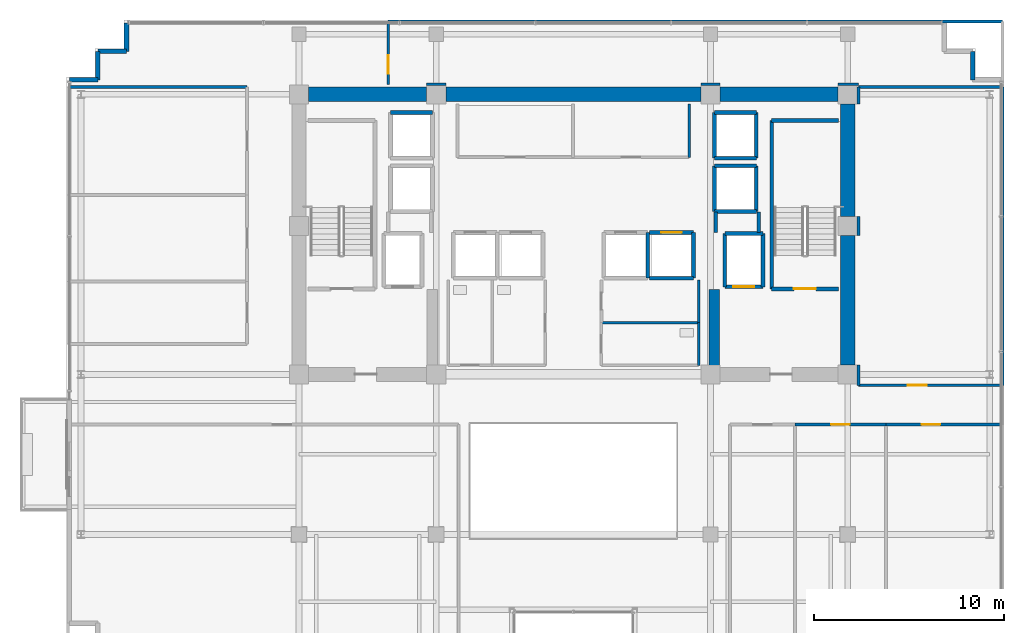
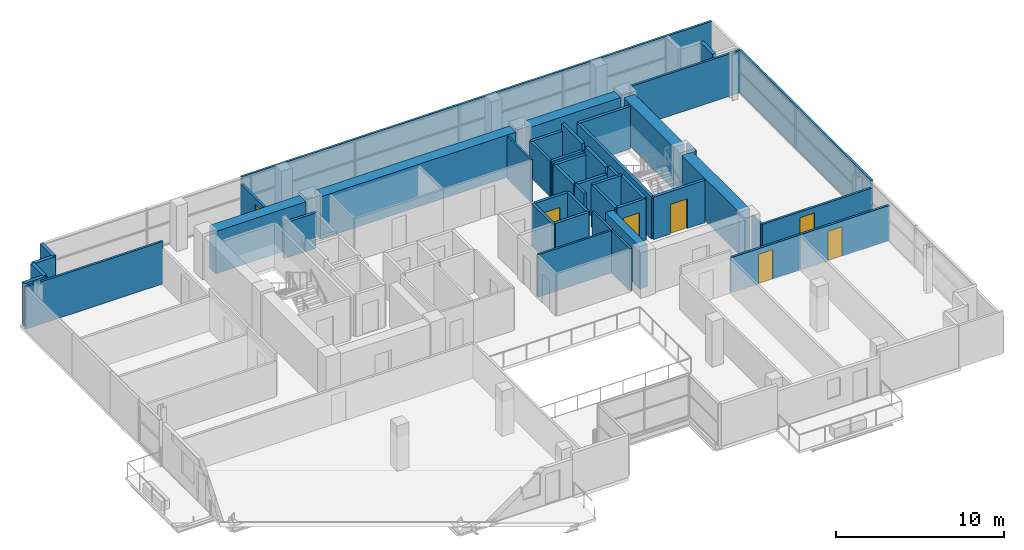
# One storey, part 16 of 21: 51 walls, 7 doors, 7 openings.
"""IFC4 building model written with IfcOpenShell, lengths in metres."""

import ifcopenshell
import ifcopenshell.guid

model = None  # the IFC model being written
_history = None  # IfcOwnerHistory: only IFC2X3 demands one
_inside = {}  # id of a spatial element -> (the spatial element, [elements in it])
_under = {}  # id of a project, library or spatial element -> (it, [spatial elements below it])
_declared = {}  # id of a project -> (the project, [libraries it declares])
_typed = {}  # id of a type object -> (the type object, [elements of that type])
_made_of = {}  # id of a material, layer set ... -> (it, [elements and type objects made of it])


def new_model(schema):
    """Start an empty IFC model of exactly this schema.

    Asked for "IFC4X3", IfcOpenShell would pick the latest addendum, in which some entities
    have other attributes; the version numbers below select the first issue.
    IFC2X3 requires an IfcOwnerHistory on every rooted entity: one is made here for all.
    """
    global model, _history
    if schema == "IFC4X3":
        model = ifcopenshell.file(schema_version=(4, 3, 0, 0))
    else:
        model = ifcopenshell.file(schema=schema)
    _inside.clear()
    _under.clear()
    _declared.clear()
    _typed.clear()
    _made_of.clear()
    _history = None
    if model.schema == "IFC2X3":
        org = make("IfcOrganization", Name="unknown")
        user = make(
            "IfcPersonAndOrganization",
            ThePerson=make("IfcPerson", FamilyName="unknown"),
            TheOrganization=org,
        )
        app = make(
            "IfcApplication",
            ApplicationDeveloper=org,
            Version="unknown",
            ApplicationFullName="unknown",
            ApplicationIdentifier="unknown",
        )
        _history = make(
            "IfcOwnerHistory",
            OwningUser=user,
            OwningApplication=app,
            ChangeAction="ADDED",
            CreationDate=0,
        )
    return model


def make(cls, **values):
    """One entity of the class cls with the attributes given. An attribute that is None is left unset."""
    return model.create_entity(
        cls, **{name: value for name, value in values.items() if value is not None}
    )


def rooted(cls, **values):
    """An entity with a GlobalId (a new one), such as an element, a storey or a relation."""
    return make(cls, GlobalId=ifcopenshell.guid.new(), OwnerHistory=_history, **values)


def si_unit(unit_type, name, prefix=None):
    """IfcSIUnit, for example si_unit("LENGTHUNIT", "METRE", prefix="MILLI")."""
    return make("IfcSIUnit", UnitType=unit_type, Prefix=prefix, Name=name)


def assignment(units):
    """IfcUnitAssignment: the units of a project."""
    return None if units is None else make("IfcUnitAssignment", Units=units)


def point(xyz):
    """IfcCartesianPoint."""
    return None if xyz is None else make("IfcCartesianPoint", Coordinates=xyz)


def direction(xyz):
    """IfcDirection."""
    return None if xyz is None else make("IfcDirection", DirectionRatios=xyz)


def frame(location, z_axis=None, x_axis=None):
    """IfcAxis2Placement3D, a coordinate frame: its origin and axes. An axis left out is left unset."""
    return make(
        "IfcAxis2Placement3D",
        Location=point(location),
        Axis=direction(z_axis),
        RefDirection=direction(x_axis),
    )


def frame_2d(location, x_axis=None):
    """IfcAxis2Placement2D, a coordinate frame in the plane: its origin and x axis."""
    return make(
        "IfcAxis2Placement2D", Location=point(location), RefDirection=direction(x_axis)
    )


def origin():
    """The frame at (0, 0, 0) with its axes left unset."""
    return frame((0.0, 0.0, 0.0))


def place(relative_to, where):
    """IfcLocalPlacement: puts the frame where relative to a parent placement (None: the world)."""
    return make(
        "IfcLocalPlacement", PlacementRelTo=relative_to, RelativePlacement=where
    )


def context(
    kind, dimensions, precision=None, world=None, true_north=None, identifier=None
):
    """IfcGeometricRepresentationContext, for example the 3D "Model" context."""
    return make(
        "IfcGeometricRepresentationContext",
        ContextIdentifier=identifier,
        ContextType=kind,
        CoordinateSpaceDimension=dimensions,
        Precision=precision,
        WorldCoordinateSystem=world,
        TrueNorth=true_north,
    )


def subcontext(parent, identifier, kind, view, scale=None):
    """IfcGeometricRepresentationSubContext, for example "Body" below "Model"."""
    return make(
        "IfcGeometricRepresentationSubContext",
        ContextIdentifier=identifier,
        ContextType=kind,
        ParentContext=parent,
        TargetScale=scale,
        TargetView=view,
    )


def project(units=None, contexts=None):
    """IfcProject with its units and contexts."""
    return rooted(
        "IfcProject",
        Name="project",
        RepresentationContexts=contexts,
        UnitsInContext=assignment(units),
    )


def spatial(cls, under=None, at=None, **own):
    """A site, building, storey or space (cls), placed at a placement, below another one or the project."""
    s = rooted(cls, ObjectPlacement=at, **own)
    if under is not None:
        _under.setdefault(under.id(), (under, []))[1].append(s)
    return s


def profile(cls, at=None, kind="AREA", **sizes):
    """A parametric profile (cls). Its sizes go by their IFC names, for example OverallWidth=200.0."""
    return make(cls, ProfileType=kind, Position=at, **sizes)


def rectangle(**sizes):
    """IfcRectangleProfileDef."""
    return profile("IfcRectangleProfileDef", **sizes)


def extrude(swept, where, along, depth):
    """IfcExtrudedAreaSolid: the profile swept, set in the frame where, extruded along a direction by depth."""
    return make(
        "IfcExtrudedAreaSolid",
        SweptArea=swept,
        Position=where,
        ExtrudedDirection=direction(along),
        Depth=depth,
    )


def shape(context_of_items, identifier, shape_type, items):
    """IfcShapeRepresentation: the items that make up one representation, for example the "Body"."""
    return make(
        "IfcShapeRepresentation",
        ContextOfItems=context_of_items,
        RepresentationIdentifier=identifier,
        RepresentationType=shape_type,
        Items=items,
    )


def source(mapping_origin, context_of_items, identifier, shape_type, items):
    """IfcRepresentationMap: a shape defined once, which mapped items show again and again."""
    return make(
        "IfcRepresentationMap",
        MappingOrigin=mapping_origin,
        MappedRepresentation=shape(context_of_items, identifier, shape_type, items),
    )


def transform(
    local_origin,
    x_axis=None,
    y_axis=None,
    z_axis=None,
    scale=None,
    scale2=None,
    scale3=None,
    uniform=True,
):
    """IfcCartesianTransformationOperator3D, or its non-uniform kind. x_axis, y_axis, z_axis: its Axis1, 2, 3."""
    if uniform:
        return make(
            "IfcCartesianTransformationOperator3D",
            Axis1=direction(x_axis),
            Axis2=direction(y_axis),
            LocalOrigin=point(local_origin),
            Scale=scale,
            Axis3=direction(z_axis),
        )
    return make(
        "IfcCartesianTransformationOperator3DnonUniform",
        Axis1=direction(x_axis),
        Axis2=direction(y_axis),
        LocalOrigin=point(local_origin),
        Scale=scale,
        Axis3=direction(z_axis),
        Scale2=scale2,
        Scale3=scale3,
    )


def mapped(mapping_source, mapping_target):
    """IfcMappedItem: shows the shape of a source again, moved by a transform."""
    return make(
        "IfcMappedItem", MappingSource=mapping_source, MappingTarget=mapping_target
    )


def material(Name=None, Category=None):
    """IfcMaterial."""
    return make("IfcMaterial", Name=Name, Category=Category)


def layer(
    of_material, thickness, ventilated=None, Name=None, Category=None, Priority=None
):
    """IfcMaterialLayer: one layer of a wall or slab, of a material (None: an air gap)."""
    return make(
        "IfcMaterialLayer",
        Material=of_material,
        LayerThickness=thickness,
        IsVentilated=ventilated,
        Name=Name,
        Category=Category,
        Priority=Priority,
    )


def layer_set(layers, Name=None):
    """IfcMaterialLayerSet."""
    return make("IfcMaterialLayerSet", MaterialLayers=layers, LayerSetName=Name)


def made_of(thing, what):
    """Note that an element or type object is made of a material, layer set ...; save() writes the relation."""
    if what is not None:
        _made_of.setdefault(what.id(), (what, []))[1].append(thing)
    return thing


def type_object(cls, material=None, **own):
    """A type object (cls), such as IfcWallType, which elements share."""
    return made_of(rooted(cls, **own), material)


def element(
    cls,
    number,
    at=None,
    inside=None,
    cuts=None,
    type_object=None,
    material=None,
    context=None,
    identifier="Body",
    shape_type=None,
    held_by="IfcProductDefinitionShape",
    body=None,
    shapes=None,
    **own,
):
    """One element of the class cls, such as IfcWall. Its Tag is "e" and its number.

    at: its placement. inside: the storey or other place that contains it. cuts: it is an
    opening in that element (IfcRelVoidsElement). A single representation is given by context,
    identifier, shape_type and body (its items); several are given by shapes. held_by: the class
    of the entity that holds the representations. save() writes the other relations.
    """
    e = rooted(cls, Tag="e%d" % number, ObjectPlacement=at, **own)
    if body is not None:
        shapes = [shape(context, identifier, shape_type, body)]
    if shapes is not None:
        e.Representation = make(held_by, Representations=shapes)
    if inside is not None:
        _inside.setdefault(inside.id(), (inside, []))[1].append(e)
    if cuts is not None:
        rooted(
            "IfcRelVoidsElement", RelatingBuildingElement=cuts, RelatedOpeningElement=e
        )
    if type_object is not None:
        _typed.setdefault(type_object.id(), (type_object, []))[1].append(e)
    return made_of(e, material)


def fill(opening, filler):
    """IfcRelFillsElement: the door or window that sits in an opening."""
    return rooted(
        "IfcRelFillsElement",
        RelatingOpeningElement=opening,
        RelatedBuildingElement=filler,
    )


def aggregate(whole, parts):
    """IfcRelAggregates: a whole, such as a stair, and the parts it consists of."""
    return rooted("IfcRelAggregates", RelatingObject=whole, RelatedObjects=parts)


def save(model, path):
    """Write the relations noted so far, then the file.

    IfcRelAggregates (storeys below a building ...), IfcRelContainedInSpatialStructure (elements
    in a storey), IfcRelDefinesByType, IfcRelAssociatesMaterial and IfcRelDeclares: one each for
    every whole, place, type object, material and project.
    """
    for whole, parts in _under.values():
        aggregate(whole, parts)
    for where, things in _inside.values():
        rooted(
            "IfcRelContainedInSpatialStructure",
            RelatedElements=things,
            RelatingStructure=where,
        )
    for kind, things in _typed.values():
        rooted("IfcRelDefinesByType", RelatedObjects=things, RelatingType=kind)
    for what, things in _made_of.values():
        rooted("IfcRelAssociatesMaterial", RelatedObjects=things, RelatingMaterial=what)
    for by, libraries in _declared.values():
        rooted("IfcRelDeclares", RelatingContext=by, RelatedDefinitions=libraries)
    model.write(path)


model = new_model("IFC4")

# Units and contexts
model_context = context("Model", 3, precision=1e-05, world=origin(), true_north=direction((0.0, 1.0)))
body_context = subcontext(model_context, "Body", "Model", "MODEL_VIEW")
ifc_project = project(units=[si_unit("LENGTHUNIT", "METRE"), si_unit("AREAUNIT", "SQUARE_METRE"), si_unit("VOLUMEUNIT", "CUBIC_METRE"), si_unit("PLANEANGLEUNIT", "RADIAN"), si_unit("MASSUNIT", "GRAM", prefix="KILO")], contexts=[model_context])

# Site, building, storey
site_placement = place(None, origin())
site = spatial("IfcSite", under=ifc_project, at=site_placement, CompositionType="ELEMENT")
building_placement = place(site_placement, origin())
building = spatial("IfcBuilding", under=site, at=building_placement, Name="Zarnakvel Exchange Tower", CompositionType="ELEMENT")
storey_placement = place(building_placement, frame((0.0, 0.0, 152.800048828125)))
storey = spatial("IfcBuildingStorey", under=building, at=storey_placement, Name="L42", CompositionType="ELEMENT", Elevation=152.800048828125)

# Walls
ifc_material_1 = material(Name="Concrete C60/75", Category="concrete")
ifc_layer_1 = layer(ifc_material_1, 0.75)
ifc_layer_set_1 = layer_set([ifc_layer_1], Name="Concrete C60/75")
wall_type_1 = type_object("IfcWallType", Name="CW-C3", PredefinedType="SHEAR", material=ifc_layer_set_1)
wall_1_placement = place(storey_placement, frame((-13.89990234375, 13.5, 0.0), z_axis=(0.0, 0.0, 1.0), x_axis=(1.0, 0.0, 0.0)))
element("IfcWall", 1, at=wall_1_placement, inside=storey, type_object=wall_type_1, Name="L42 Rear Core Shear Wall N1 (CW-C3)", PredefinedType="SHEAR", context=body_context, shape_type="SweptSolid", body=[
    extrude(rectangle(XDim=6.199951171875, YDim=0.75, at=frame_2d((3.10009765625, 0.0))), origin(), (0.0, 0.0, 1.0), 3.074951171875),
])
wall_2_placement = place(storey_placement, frame((-6.699951171875, 13.5, 0.0), z_axis=(0.0, 0.0, 1.0), x_axis=(1.0, 0.0, 0.0)))
element("IfcWall", 2, at=wall_2_placement, inside=storey, type_object=wall_type_1, Name="L42 Rear Core Shear Wall N2 (CW-C3)", PredefinedType="SHEAR", context=body_context, shape_type="SweptSolid", body=[
    extrude(rectangle(XDim=13.39990234375, YDim=0.75, at=frame_2d((6.699951171875, 0.0))), origin(), (0.0, 0.0, 1.0), 3.074951171875),
])
wall_3_placement = place(storey_placement, frame((7.699951171875, 13.5, 0.0), z_axis=(0.0, 0.0, 1.0), x_axis=(1.0, 0.0, 0.0)))
element("IfcWall", 3, at=wall_3_placement, inside=storey, type_object=wall_type_1, Name="L42 Rear Core Shear Wall N3 (CW-C3)", PredefinedType="SHEAR", context=body_context, shape_type="SweptSolid", body=[
    extrude(rectangle(XDim=6.199951171875, YDim=0.75, at=frame_2d((3.10009765625, 0.0))), origin(), (0.0, 0.0, 1.0), 3.074951171875),
])
wall_4_placement = place(storey_placement, frame((14.39990234375, -0.699951171875, 0.0), z_axis=(0.0, 0.0, 1.0), x_axis=(0.0, 1.0, 0.0)))
element("IfcWall", 4, at=wall_4_placement, inside=storey, type_object=wall_type_1, Name="L42 Rear Core Shear Wall E1 (CW-C3)", PredefinedType="SHEAR", context=body_context, shape_type="SweptSolid", body=[
    extrude(rectangle(XDim=6.800048828125, YDim=0.75, at=frame_2d((3.39990234375, 0.0))), origin(), (0.0, 0.0, 1.0), 3.074951171875),
])
wall_5_placement = place(storey_placement, frame((14.39990234375, 7.10009765625, 0.0), z_axis=(0.0, 0.0, 1.0), x_axis=(0.0, 1.0, 0.0)))
element("IfcWall", 5, at=wall_5_placement, inside=storey, type_object=wall_type_1, Name="L42 Rear Core Shear Wall E2 (CW-C3)", PredefinedType="SHEAR", context=body_context, shape_type="SweptSolid", body=[
    extrude(rectangle(XDim=5.89990234375, YDim=0.75, at=frame_2d((2.949951171875, 0.0))), origin(), (0.0, 0.0, 1.0), 3.074951171875),
])
ifc_layer_2 = layer(ifc_material_1, 0.550048828125)
ifc_layer_set_2 = layer_set([ifc_layer_2], Name="Concrete C60/75")
wall_type_2 = type_object("IfcWallType", Name="CW-C4", PredefinedType="SHEAR", material=ifc_layer_set_2)
wall_6_placement = place(storey_placement, frame((7.39990234375, -0.824951171875, 0.0), z_axis=(0.0, 0.0, 1.0), x_axis=(0.0, 1.0, 0.0)))
element("IfcWall", 6, at=wall_6_placement, inside=storey, type_object=wall_type_2, Name="L42 Rear Core Shear Wall IE (CW-C4)", PredefinedType="SHEAR", context=body_context, shape_type="SweptSolid", body=[
    extrude(rectangle(XDim=4.074951171875, YDim=0.550048828125, at=frame_2d((2.03759765625, 0.0))), origin(), (0.0, 0.0, 1.0), 3.074951171875),
])
ifc_material_2 = material(Name="Precast concrete C40/50", Category="concrete")
ifc_layer_3 = layer(ifc_material_2, 0.239990234375)
ifc_layer_set_3 = layer_set([ifc_layer_3], Name="Precast concrete C40/50")
wall_type_3 = type_object("IfcWallType", Name="EW-02", PredefinedType="SOLIDWALL", material=ifc_layer_set_3)
for number, where, z_axis, x_axis, name in (
    (7, (-24.9599609375, 14.260009765625, 0.0), (0.0, 0.0, 1.0), (-1.0, 0.0, 0.0), "L42 Exterior Precast Spandrel Wall EWC-L42-03 (EW-02)"),
    (8, (-24.9599609375, 15.760009765625, 0.0), (0.0, 0.0, 1.0), (0.0, -1.0, 0.0), "L42 Exterior Precast Spandrel Wall EWC-L42-04 (EW-02)"),
    (9, (-23.4599609375, 15.760009765625, 0.0), (0.0, 0.0, 1.0), (-1.0, 0.0, 0.0), "L42 Exterior Precast Spandrel Wall EWC-L42-05 (EW-02)"),
    (10, (-23.4599609375, 17.260009765625, 0.0), (0.0, 0.0, 1.0), (0.0, -1.0, 0.0), "L42 Exterior Precast Spandrel Wall EWC-L42-06 (EW-02)"),
    (11, (20.9599609375, 14.260009765625, 0.0), (0.0, 0.0, 1.0), (0.0, 1.0, 0.0), "L42 Exterior Precast Spandrel Wall EWC-L42-09 (EW-02)"),
):
    element("IfcWall", number, at=place(storey_placement, frame(where, z_axis=z_axis, x_axis=x_axis)), inside=storey, type_object=wall_type_3, Name=name, PredefinedType="SOLIDWALL", context=body_context, shape_type="SweptSolid", body=[
        extrude(rectangle(XDim=1.5, YDim=0.239990234375, at=frame_2d((0.75, 0.0))), origin(), (0.0, 0.0, 1.0), 3.074951171875),
    ])
ifc_material_3 = material(Name="Fire-Rated Gypsum Stud Partition", Category="gypsum")
ifc_layer_4 = layer(ifc_material_3, 0.14990234375)
ifc_layer_set_4 = layer_set([ifc_layer_4], Name="Fire-Rated Gypsum Stud Partition")
wall_type_4 = type_object("IfcWallType", Name="PT-01", PredefinedType="PARTITIONING", material=ifc_layer_set_4)
wall_7_placement = place(storey_placement, frame((6.580078125, 3.760009765625, 0.0), z_axis=(0.0, 0.0, 1.0), x_axis=(0.0, -1.0, 0.0)))
element("IfcWall", 12, at=wall_7_placement, inside=storey, type_object=wall_type_4, Name="L42 Partition Wall PWALL-L42-026 (PT-01)", PredefinedType="PARTITIONING", context=body_context, shape_type="SweptSolid", body=[
    extrude(rectangle(XDim=2.239990234375, YDim=0.14990234375, at=frame_2d((1.1201171875, 0.0))), origin(), (0.0, 0.0, 1.0), 3.074951171875),
])

# Wall, opening, door
wall_8_placement = place(storey_placement, frame((11.6298828125, -3.830078125, 0.0), z_axis=(0.0, 0.0, 1.0), x_axis=(1.0, 0.0, 0.0)))
wall_8 = element("IfcWall", 13, at=wall_8_placement, inside=storey, type_object=wall_type_4, Name="L42 Partition Wall PWALL-L42-036 (PT-01)", PredefinedType="PARTITIONING", context=body_context, shape_type="SweptSolid", body=[
    extrude(rectangle(XDim=4.77197265625, YDim=0.14990234375, at=frame_2d((2.385986328125, 0.0))), origin(), (0.0, 0.0, 1.0), 2.56494140625),
])
opening_1_placement = place(wall_8_placement, frame((1.89599609375, 0.0, 0.0)))
opening_1 = element("IfcOpeningElement", 14, at=opening_1_placement, cuts=wall_8, Name="Opening D-L42-13", PredefinedType="OPENING", context=body_context, shape_type="SweptSolid", body=[
    extrude(rectangle(XDim=0.97998046875, YDim=2.14990234375, at=frame_2d((0.489990234375, 1.074951171875))), frame((0.0, 0.0849609375, 0.0), z_axis=(0.0, -1.0, 0.0), x_axis=(1.0, 0.0, 0.0)), (0.0, 0.0, 1.0), 0.169921875),
])
ifc_material_4 = material(Name="Timber Acoustic Veneer", Category="wood")
door_type_1 = type_object("IfcDoorType", Name="DT-05", OperationType="NOTDEFINED", PredefinedType="DOOR", material=ifc_material_4)
shared_shape_1 = source(origin(), body_context, "Body", "SweptSolid", [
    extrude(rectangle(XDim=0.97998046875, YDim=2.14990234375, at=frame_2d((0.489990234375, 1.074951171875))), frame((0.0, 0.02490234375, 0.0), z_axis=(0.0, -1.0, 0.0), x_axis=(1.0, 0.0, 0.0)), (0.0, 0.0, 1.0), 0.050048828125),
])
door_1_placement = place(opening_1_placement, origin())
door_1 = element("IfcDoor", 15, at=door_1_placement, inside=storey, type_object=door_type_1, Name="L42 Breakout Pantry Door D-L42-13", OperationType="SINGLE_SWING_LEFT", OverallHeight=2.14990234375, OverallWidth=0.97998046875, PredefinedType="DOOR", context=body_context, shape_type="MappedRepresentation", body=[
    mapped(shared_shape_1, transform((0.0, 0.0, 0.0), x_axis=(1.0, 0.0, 0.0), y_axis=(0.0, 1.0, 0.0), z_axis=(0.0, 0.0, 1.0), scale=1.0)),
])
fill(opening_1, door_1)

wall_9_placement = place(storey_placement, frame((16.40185546875, -3.830078125, 0.0), z_axis=(0.0, 0.0, 1.0), x_axis=(1.0, 0.0, 0.0)))
wall_9 = element("IfcWall", 16, at=wall_9_placement, inside=storey, type_object=wall_type_4, Name="L42 Partition Wall PWALL-L42-039 (PT-01)", PredefinedType="PARTITIONING", context=body_context, shape_type="SweptSolid", body=[
    extrude(rectangle(XDim=6.128173828125, YDim=0.14990234375, at=frame_2d((3.06396484375, 0.0))), origin(), (0.0, 0.0, 1.0), 2.56494140625),
])
opening_2_placement = place(wall_9_placement, frame((1.874267578125, 0.0, 0.0)))
opening_2 = element("IfcOpeningElement", 17, at=opening_2_placement, cuts=wall_9, Name="Opening D-L42-14", PredefinedType="OPENING", context=body_context, shape_type="SweptSolid", body=[
    extrude(rectangle(XDim=0.97998046875, YDim=2.14990234375, at=frame_2d((0.489990234375, 1.074951171875))), frame((0.0, 0.0849609375, 0.0), z_axis=(0.0, -1.0, 0.0), x_axis=(1.0, 0.0, 0.0)), (0.0, 0.0, 1.0), 0.169921875),
])
door_2_placement = place(opening_2_placement, origin())
door_2 = element("IfcDoor", 18, at=door_2_placement, inside=storey, type_object=door_type_1, Name="L42 Settlement Office Door D-L42-14", OperationType="SINGLE_SWING_RIGHT", OverallHeight=2.14990234375, OverallWidth=0.97998046875, PredefinedType="DOOR", context=body_context, shape_type="MappedRepresentation", body=[
    mapped(shared_shape_1, transform((0.0, 0.0, 0.0), x_axis=(1.0, 0.0, 0.0), y_axis=(0.0, 1.0, 0.0), z_axis=(0.0, 0.0, 1.0), scale=1.0)),
])
fill(opening_2, door_2)

# Wall
wall_10_placement = place(storey_placement, frame((-26.530029296875, 13.8798828125, 0.0), z_axis=(0.0, 0.0, 1.0), x_axis=(1.0, 0.0, 0.0)))
element("IfcWall", 19, at=wall_10_placement, inside=storey, type_object=wall_type_4, Name="L42 Partition Wall PWALL-L42-048 (PT-01)", PredefinedType="PARTITIONING", context=body_context, shape_type="SweptSolid", body=[
    extrude(rectangle(XDim=9.400146484375, YDim=0.14990234375, at=frame_2d((4.7001953125, 0.0))), origin(), (0.0, 0.0, 1.0), 3.074951171875),
])

# Wall, opening, door
wall_11_placement = place(storey_placement, frame((22.530029296875, -1.77001953125, 0.0), z_axis=(0.0, 0.0, 1.0), x_axis=(-1.0, 0.0, 0.0)))
wall_11 = element("IfcWall", 20, at=wall_11_placement, inside=storey, type_object=wall_type_4, Name="L42 Partition Wall PWALL-L42-051 (PT-01)", PredefinedType="PARTITIONING", context=body_context, shape_type="SweptSolid", body=[
    extrude(rectangle(XDim=7.56005859375, YDim=0.14990234375, at=frame_2d((3.780029296875, 0.0))), origin(), (0.0, 0.0, 1.0), 2.56494140625),
])
opening_3_placement = place(wall_11_placement, frame((3.989990234375, 0.0, 0.0)))
opening_3 = element("IfcOpeningElement", 21, at=opening_3_placement, cuts=wall_11, Name="Opening D-L42-18", PredefinedType="OPENING", context=body_context, shape_type="SweptSolid", body=[
    extrude(rectangle(XDim=0.97998046875, YDim=2.14990234375, at=frame_2d((0.489990234375, 1.074951171875))), frame((0.0, 0.0849609375, 0.0), z_axis=(0.0, -1.0, 0.0), x_axis=(1.0, 0.0, 0.0)), (0.0, 0.0, 1.0), 0.169921875),
])
door_3_placement = place(opening_3_placement, origin())
door_3 = element("IfcDoor", 22, at=door_3_placement, inside=storey, type_object=door_type_1, Name="L42 Breakout Pantry Door D-L42-18", OperationType="SINGLE_SWING_RIGHT", OverallHeight=2.14990234375, OverallWidth=0.97998046875, PredefinedType="DOOR", context=body_context, shape_type="MappedRepresentation", body=[
    mapped(shared_shape_1, transform((0.0, 0.0, 0.0), x_axis=(1.0, 0.0, 0.0), y_axis=(0.0, 1.0, 0.0), z_axis=(0.0, 0.0, 1.0), scale=1.0)),
])
fill(opening_3, door_3)

# Walls
wall_12_placement = place(storey_placement, frame((14.969970703125, 13.8798828125, 0.0), z_axis=(0.0, 0.0, 1.0), x_axis=(1.0, 0.0, 0.0)))
element("IfcWall", 23, at=wall_12_placement, inside=storey, type_object=wall_type_4, Name="L42 Partition Wall PWALL-L42-052 (PT-01)", PredefinedType="PARTITIONING", context=body_context, shape_type="SweptSolid", body=[
    extrude(rectangle(XDim=7.56005859375, YDim=0.14990234375, at=frame_2d((3.780029296875, 0.0))), origin(), (0.0, 0.0, 1.0), 3.074951171875),
])
wall_13_placement = place(storey_placement, frame((14.969970703125, -1.77001953125, 0.0), z_axis=(0.0, 0.0, 1.0), x_axis=(0.0, 1.0, 0.0)))
element("IfcWall", 24, at=wall_13_placement, inside=storey, type_object=wall_type_4, Name="L42 Partition Wall PWALL-L42-053 (PT-01)", PredefinedType="PARTITIONING", context=body_context, shape_type="SweptSolid", body=[
    extrude(rectangle(XDim=1.070068359375, YDim=0.14990234375, at=frame_2d((0.53515625, 0.0))), origin(), (0.0, 0.0, 1.0), 2.56494140625),
])
wall_14_placement = place(storey_placement, frame((14.969970703125, 6.10009765625, 0.0), z_axis=(0.0, 0.0, 1.0), x_axis=(0.0, 1.0, 0.0)))
element("IfcWall", 25, at=wall_14_placement, inside=storey, type_object=wall_type_4, Name="L42 Partition Wall PWALL-L42-054 (PT-01)", PredefinedType="PARTITIONING", context=body_context, shape_type="SweptSolid", body=[
    extrude(rectangle(XDim=1.0, YDim=0.14990234375, at=frame_2d((0.5, 0.0))), origin(), (0.0, 0.0, 1.0), 3.074951171875),
])
wall_15_placement = place(storey_placement, frame((14.969970703125, 13.0, 0.0), z_axis=(0.0, 0.0, 1.0), x_axis=(0.0, 1.0, 0.0)))
element("IfcWall", 26, at=wall_15_placement, inside=storey, type_object=wall_type_4, Name="L42 Partition Wall PWALL-L42-055 (PT-01)", PredefinedType="PARTITIONING", context=body_context, shape_type="SweptSolid", body=[
    extrude(rectangle(XDim=0.8798828125, YDim=0.14990234375, at=frame_2d((0.43994140625, 0.0))), origin(), (0.0, 0.0, 1.0), 2.56494140625),
])
wall_16_placement = place(storey_placement, frame((22.530029296875, 13.8798828125, 0.0), z_axis=(0.0, 0.0, 1.0), x_axis=(0.0, -1.0, 0.0)))
element("IfcWall", 27, at=wall_16_placement, inside=storey, type_object=wall_type_4, Name="L42 Partition Wall PWALL-L42-056 (PT-01)", PredefinedType="PARTITIONING", context=body_context, shape_type="SweptSolid", body=[
    extrude(rectangle(XDim=15.64990234375, YDim=0.14990234375, at=frame_2d((7.824951171875, 0.0))), origin(), (0.0, 0.0, 1.0), 3.074951171875),
])
for number, where, z_axis, x_axis, name in (
    (28, (-6.699951171875, 14.030029296875, 0.0), (0.0, 0.0, 1.0), (-1.0, 0.0, 0.0), "L42 Partition Wall PWALL-L42-057 (PT-01)"),
    (29, (7.699951171875, 14.030029296875, 0.0), (0.0, 0.0, 1.0), (-1.0, 0.0, 0.0), "L42 Partition Wall PWALL-L42-058 (PT-01)"),
):
    element("IfcWall", number, at=place(storey_placement, frame(where, z_axis=z_axis, x_axis=x_axis)), inside=storey, type_object=wall_type_4, Name=name, PredefinedType="PARTITIONING", context=body_context, shape_type="SweptSolid", body=[
        extrude(rectangle(XDim=1.0, YDim=0.14990234375, at=frame_2d((0.5, 0.0))), origin(), (0.0, 0.0, 1.0), 2.56494140625),
    ])
wall_17_placement = place(storey_placement, frame((14.969970703125, 14.030029296875, 0.0), z_axis=(0.0, 0.0, 1.0), x_axis=(-1.0, 0.0, 0.0)))
element("IfcWall", 30, at=wall_17_placement, inside=storey, type_object=wall_type_4, Name="L42 Partition Wall PWALL-L42-059 (PT-01)", PredefinedType="PARTITIONING", context=body_context, shape_type="SweptSolid", body=[
    extrude(rectangle(XDim=1.070068359375, YDim=0.14990234375, at=frame_2d((0.53515625, 0.0))), origin(), (0.0, 0.0, 1.0), 2.56494140625),
])
wall_18_placement = place(storey_placement, frame((-9.719970703125, 17.330078125, 0.0), z_axis=(0.0, 0.0, 1.0), x_axis=(1.0, 0.0, 0.0)))
element("IfcWall", 31, at=wall_18_placement, inside=storey, type_object=wall_type_4, Name="L42 Partition Wall PWALL-L42-060 (PT-01)", PredefinedType="PARTITIONING", context=body_context, shape_type="SweptSolid", body=[
    extrude(rectangle(XDim=32.25, YDim=0.14990234375, at=frame_2d((16.125, 0.0))), origin(), (0.0, 0.0, 1.0), 3.074951171875),
])

# Wall, opening, door
wall_19_placement = place(storey_placement, frame((-9.719970703125, 14.030029296875, 0.0), z_axis=(0.0, 0.0, 1.0), x_axis=(0.0, 1.0, 0.0)))
wall_19 = element("IfcWall", 32, at=wall_19_placement, inside=storey, type_object=wall_type_4, Name="L42 Partition Wall PWALL-L42-061 (PT-01)", PredefinedType="PARTITIONING", context=body_context, shape_type="SweptSolid", body=[
    extrude(rectangle(XDim=3.300048828125, YDim=0.14990234375, at=frame_2d((1.64990234375, 0.0))), origin(), (0.0, 0.0, 1.0), 2.56494140625),
])
opening_4_placement = place(wall_19_placement, frame((0.550048828125, 0.0, 0.0)))
opening_4 = element("IfcOpeningElement", 33, at=opening_4_placement, cuts=wall_19, Name="Opening D-L42-19", PredefinedType="OPENING", context=body_context, shape_type="SweptSolid", body=[
    extrude(rectangle(XDim=0.97998046875, YDim=2.14990234375, at=frame_2d((0.489990234375, 1.074951171875))), frame((0.0, 0.0849609375, 0.0), z_axis=(0.0, -1.0, 0.0), x_axis=(1.0, 0.0, 0.0)), (0.0, 0.0, 1.0), 0.169921875),
])
door_4_placement = place(opening_4_placement, origin())
door_4 = element("IfcDoor", 34, at=door_4_placement, inside=storey, type_object=door_type_1, Name="L42 Settlement Office Door D-L42-19", OperationType="SINGLE_SWING_LEFT", OverallHeight=2.14990234375, OverallWidth=0.97998046875, PredefinedType="DOOR", context=body_context, shape_type="MappedRepresentation", body=[
    mapped(shared_shape_1, transform((0.0, 0.0, 0.0), x_axis=(1.0, 0.0, 0.0), y_axis=(0.0, 1.0, 0.0), z_axis=(0.0, 0.0, 1.0), scale=1.0)),
])
fill(opening_4, door_4)

# Walls
ifc_layer_5 = layer(ifc_material_3, 0.179931640625)
ifc_layer_set_5 = layer_set([ifc_layer_5], Name="Fire-Rated Gypsum Stud Partition")
wall_type_5 = type_object("IfcWallType", Name="PT-02", PredefinedType="PARTITIONING", material=ifc_layer_set_5)
wall_20_placement = place(storey_placement, frame((7.469970703125, 6.239990234375, 0.0), z_axis=(0.0, 0.0, 1.0), x_axis=(0.0, 1.0, 0.0)))
element("IfcWall", 35, at=wall_20_placement, inside=storey, type_object=wall_type_5, Name="L42 Partition Wall PWALL-L42-009 (PT-02)", PredefinedType="PARTITIONING", context=body_context, shape_type="SweptSolid", body=[
    extrude(rectangle(XDim=1.090087890625, YDim=0.179931640625, at=frame_2d((0.544921875, 0.0))), origin(), (0.0, 0.0, 1.0), 2.56494140625),
])
wall_21_placement = place(storey_placement, frame((9.72998046875, 7.330078125, 0.0), z_axis=(0.0, 0.0, 1.0), x_axis=(0.0, -1.0, 0.0)))
element("IfcWall", 36, at=wall_21_placement, inside=storey, type_object=wall_type_5, Name="L42 Partition Wall PWALL-L42-010 (PT-02)", PredefinedType="PARTITIONING", context=body_context, shape_type="SweptSolid", body=[
    extrude(rectangle(XDim=1.090087890625, YDim=0.179931640625, at=frame_2d((0.544921875, 0.0))), origin(), (0.0, 0.0, 1.0), 3.074951171875),
])
ifc_material_5 = material(Name="Moisture-Resistant Tile-Faced Partition", Category="gypsum")
ifc_layer_6 = layer(ifc_material_5, 0.135009765625)
ifc_layer_set_6 = layer_set([ifc_layer_6], Name="Moisture-Resistant Tile-Faced Partition")
wall_type_6 = type_object("IfcWallType", Name="PT-03", PredefinedType="PARTITIONING", material=ifc_layer_set_6)
wall_22_placement = place(storey_placement, frame((6.080078125, 13.0, 0.0), z_axis=(0.0, 0.0, 1.0), x_axis=(0.0, -1.0, 0.0)))
element("IfcWall", 37, at=wall_22_placement, inside=storey, type_object=wall_type_6, Name="L42 Partition Wall PWALL-L42-015 (PT-03)", PredefinedType="PARTITIONING", context=body_context, shape_type="SweptSolid", body=[
    extrude(rectangle(XDim=2.800048828125, YDim=0.135009765625, at=frame_2d((1.39990234375, 0.0))), origin(), (0.0, 0.0, 1.0), 3.074951171875),
])
wall_23_placement = place(storey_placement, frame((1.469970703125, 1.52001953125, 0.0), z_axis=(0.0, 0.0, 1.0), x_axis=(1.0, 0.0, 0.0)))
element("IfcWall", 38, at=wall_23_placement, inside=storey, type_object=wall_type_6, Name="L42 Partition Wall PWALL-L42-022 (PT-03)", PredefinedType="PARTITIONING", context=body_context, shape_type="SweptSolid", body=[
    extrude(rectangle(XDim=5.110107421875, YDim=0.135009765625, at=frame_2d((2.55517578125, 0.0))), origin(), (0.0, 0.0, 1.0), 3.074951171875),
])
wall_24_placement = place(storey_placement, frame((6.580078125, 1.52001953125, 0.0), z_axis=(0.0, 0.0, 1.0), x_axis=(0.0, -1.0, 0.0)))
element("IfcWall", 39, at=wall_24_placement, inside=storey, type_object=wall_type_6, Name="L42 Partition Wall PWALL-L42-024 (PT-03)", PredefinedType="PARTITIONING", context=body_context, shape_type="SweptSolid", body=[
    extrude(rectangle(XDim=2.25, YDim=0.135009765625, at=frame_2d((1.125, 0.0))), origin(), (0.0, 0.0, 1.0), 3.074951171875),
])

# Wall, opening, door
ifc_material_6 = material(Name="Concrete C40/50", Category="concrete")
ifc_layer_7 = layer(ifc_material_6, 0.199951171875)
ifc_layer_set_7 = layer_set([ifc_layer_7], Name="Concrete C40/50")
wall_type_7 = type_object("IfcWallType", Name="SW-01", PredefinedType="SOLIDWALL", material=ifc_layer_set_7)
wall_25_placement = place(storey_placement, frame((9.949951171875, 3.39990234375, 0.0), z_axis=(0.0, 0.0, 1.0), x_axis=(-1.0, 0.0, 0.0)))
wall_25 = element("IfcWall", 40, at=wall_25_placement, inside=storey, type_object=wall_type_7, Name="L42 FL-02 Hoistway Wall South", PredefinedType="SOLIDWALL", context=body_context, shape_type="SweptSolid", body=[
    extrude(rectangle(XDim=2.0, YDim=0.199951171875, at=frame_2d((1.0, 0.0))), origin(), (0.0, 0.0, 1.0), 3.074951171875),
])
opening_5_placement = place(wall_25_placement, frame((0.449951171875, 0.0, 0.0)))
opening_5 = element("IfcOpeningElement", 41, at=opening_5_placement, cuts=wall_25, Name="Opening LD-FL-02-L42", PredefinedType="OPENING", context=body_context, shape_type="SweptSolid", body=[
    extrude(rectangle(XDim=1.10009765625, YDim=2.199951171875, at=frame_2d((0.550048828125, 1.10009765625))), frame((0.0, 0.10986328125, 0.0), z_axis=(0.0, -1.0, 0.0), x_axis=(1.0, 0.0, 0.0)), (0.0, 0.0, 1.0), 0.219970703125),
])
ifc_material_7 = material(Name="Brushed Stainless Steel", Category="steel")
door_type_2 = type_object("IfcDoorType", Name="LDT-01", OperationType="NOTDEFINED", PredefinedType="DOOR", material=ifc_material_7)
shared_shape_2 = source(origin(), body_context, "Body", "SweptSolid", [
    extrude(rectangle(XDim=1.10009765625, YDim=2.199951171875, at=frame_2d((0.550048828125, 1.10009765625))), frame((0.0, 0.02490234375, 0.0), z_axis=(0.0, -1.0, 0.0), x_axis=(1.0, 0.0, 0.0)), (0.0, 0.0, 1.0), 0.050048828125),
])
door_5_placement = place(opening_5_placement, origin())
door_5 = element("IfcDoor", 42, at=door_5_placement, inside=storey, type_object=door_type_2, Name="L42 FL-02 Lift Landing Door LD-FL-02-L42", OperationType="DOUBLE_DOOR_SLIDING", OverallHeight=2.199951171875, OverallWidth=1.10009765625, PredefinedType="DOOR", context=body_context, shape_type="MappedRepresentation", body=[
    mapped(shared_shape_2, transform((0.0, 0.0, 0.0), x_axis=(1.0, 0.0, 0.0), y_axis=(0.0, 1.0, 0.0), z_axis=(0.0, 0.0, 1.0), scale=1.0)),
])
fill(opening_5, door_5)

# Walls
wall_26_placement = place(storey_placement, frame((7.949951171875, 6.199951171875, 0.0), z_axis=(0.0, 0.0, 1.0), x_axis=(1.0, 0.0, 0.0)))
element("IfcWall", 43, at=wall_26_placement, inside=storey, type_object=wall_type_7, Name="L42 FL-02 Hoistway Wall North", PredefinedType="SOLIDWALL", context=body_context, shape_type="SweptSolid", body=[
    extrude(rectangle(XDim=2.0, YDim=0.199951171875, at=frame_2d((1.0, 0.0))), origin(), (0.0, 0.0, 1.0), 3.074951171875),
])
for number, where, z_axis, x_axis, name in (
    (44, (7.949951171875, 3.39990234375, 0.0), (0.0, 0.0, 1.0), (0.0, 1.0, 0.0), "L42 FL-02 Hoistway Wall West"),
    (45, (9.949951171875, 6.199951171875, 0.0), (0.0, 0.0, 1.0), (0.0, -1.0, 0.0), "L42 FL-02 Hoistway Wall East"),
):
    element("IfcWall", number, at=place(storey_placement, frame(where, z_axis=z_axis, x_axis=x_axis)), inside=storey, type_object=wall_type_7, Name=name, PredefinedType="SOLIDWALL", context=body_context, shape_type="SweptSolid", body=[
        extrude(rectangle(XDim=2.800048828125, YDim=0.199951171875, at=frame_2d((1.39990234375, 0.0))), origin(), (0.0, 0.0, 1.0), 3.074951171875),
    ])
wall_27_placement = place(storey_placement, frame((3.89990234375, 6.25, 0.0), z_axis=(0.0, 0.0, 1.0), x_axis=(0.0, -1.0, 0.0)))
element("IfcWall", 46, at=wall_27_placement, inside=storey, type_object=wall_type_7, Name="L42 PL-07 Hoistway Wall East", PredefinedType="SOLIDWALL", context=body_context, shape_type="SweptSolid", body=[
    extrude(rectangle(XDim=2.39990234375, YDim=0.199951171875, at=frame_2d((1.199951171875, 0.0))), origin(), (0.0, 0.0, 1.0), 3.074951171875),
])
wall_28_placement = place(storey_placement, frame((6.300048828125, 3.85009765625, 0.0), z_axis=(0.0, 0.0, 1.0), x_axis=(-1.0, 0.0, 0.0)))
element("IfcWall", 47, at=wall_28_placement, inside=storey, type_object=wall_type_7, Name="L42 PL-08 Hoistway Wall South", PredefinedType="SOLIDWALL", context=body_context, shape_type="SweptSolid", body=[
    extrude(rectangle(XDim=2.300048828125, YDim=0.199951171875, at=frame_2d((1.14990234375, 0.0))), origin(), (0.0, 0.0, 1.0), 3.074951171875),
])

# Wall, opening, door
wall_29_placement = place(storey_placement, frame((4.0, 6.25, 0.0), z_axis=(0.0, 0.0, 1.0), x_axis=(1.0, 0.0, 0.0)))
wall_29 = element("IfcWall", 48, at=wall_29_placement, inside=storey, type_object=wall_type_7, Name="L42 PL-08 Hoistway Wall North", PredefinedType="SOLIDWALL", context=body_context, shape_type="SweptSolid", body=[
    extrude(rectangle(XDim=2.300048828125, YDim=0.199951171875, at=frame_2d((1.14990234375, 0.0))), origin(), (0.0, 0.0, 1.0), 3.074951171875),
])
opening_6_placement = place(wall_29_placement, frame((0.60009765625, 0.0, 0.0)))
opening_6 = element("IfcOpeningElement", 49, at=opening_6_placement, cuts=wall_29, Name="Opening LD-PL-08-L42", PredefinedType="OPENING", context=body_context, shape_type="SweptSolid", body=[
    extrude(rectangle(XDim=1.10009765625, YDim=2.199951171875, at=frame_2d((0.550048828125, 1.10009765625))), frame((0.0, 0.10986328125, 0.0), z_axis=(0.0, -1.0, 0.0), x_axis=(1.0, 0.0, 0.0)), (0.0, 0.0, 1.0), 0.219970703125),
])
ifc_material_8 = material(Name="Architectural Bronze Anodised Aluminium", Category="aluminium")
door_type_3 = type_object("IfcDoorType", Name="LDT-02", OperationType="NOTDEFINED", PredefinedType="DOOR", material=ifc_material_8)
door_6_placement = place(opening_6_placement, origin())
door_6 = element("IfcDoor", 50, at=door_6_placement, inside=storey, type_object=door_type_3, Name="L42 PL-08 Lift Landing Door LD-PL-08-L42", OperationType="DOUBLE_DOOR_SLIDING", OverallHeight=2.199951171875, OverallWidth=1.10009765625, PredefinedType="DOOR", context=body_context, shape_type="MappedRepresentation", body=[
    mapped(shared_shape_2, transform((0.0, 0.0, 0.0), x_axis=(1.0, 0.0, 0.0), y_axis=(0.0, 1.0, 0.0), z_axis=(0.0, 0.0, 1.0), scale=1.0)),
])
fill(opening_6, door_6)

# Walls
wall_30_placement = place(storey_placement, frame((6.300048828125, 6.25, 0.0), z_axis=(0.0, 0.0, 1.0), x_axis=(0.0, -1.0, 0.0)))
element("IfcWall", 51, at=wall_30_placement, inside=storey, type_object=wall_type_7, Name="L42 PL-08 Hoistway Wall East", PredefinedType="SOLIDWALL", context=body_context, shape_type="SweptSolid", body=[
    extrude(rectangle(XDim=2.39990234375, YDim=0.199951171875, at=frame_2d((1.199951171875, 0.0))), origin(), (0.0, 0.0, 1.0), 3.074951171875),
])
for number, where, z_axis, x_axis, name in (
    (52, (-9.60009765625, 12.550048828125, 0.0), (0.0, 0.0, 1.0), (1.0, 0.0, 0.0), "L42 PL-10 Hoistway Wall North"),
    (53, (9.60009765625, 7.35009765625, 0.0), (0.0, 0.0, 1.0), (-1.0, 0.0, 0.0), "L42 PL-11 Hoistway Wall South"),
    (54, (7.39990234375, 9.75, 0.0), (0.0, 0.0, 1.0), (1.0, 0.0, 0.0), "L42 PL-11 Hoistway Wall North"),
):
    element("IfcWall", number, at=place(storey_placement, frame(where, z_axis=z_axis, x_axis=x_axis)), inside=storey, type_object=wall_type_7, Name=name, PredefinedType="SOLIDWALL", context=body_context, shape_type="SweptSolid", body=[
        extrude(rectangle(XDim=2.2001953125, YDim=0.199951171875, at=frame_2d((1.10009765625, 0.0))), origin(), (0.0, 0.0, 1.0), 2.56494140625),
    ])
wall_31_placement = place(storey_placement, frame((7.39990234375, 7.35009765625, 0.0), z_axis=(0.0, 0.0, 1.0), x_axis=(0.0, 1.0, 0.0)))
element("IfcWall", 55, at=wall_31_placement, inside=storey, type_object=wall_type_7, Name="L42 PL-11 Hoistway Wall West", PredefinedType="SOLIDWALL", context=body_context, shape_type="SweptSolid", body=[
    extrude(rectangle(XDim=2.39990234375, YDim=0.199951171875, at=frame_2d((1.199951171875, 0.0))), origin(), (0.0, 0.0, 1.0), 2.56494140625),
])
wall_32_placement = place(storey_placement, frame((9.60009765625, 9.75, 0.0), z_axis=(0.0, 0.0, 1.0), x_axis=(0.0, -1.0, 0.0)))
element("IfcWall", 56, at=wall_32_placement, inside=storey, type_object=wall_type_7, Name="L42 PL-11 Hoistway Wall East", PredefinedType="SOLIDWALL", context=body_context, shape_type="SweptSolid", body=[
    extrude(rectangle(XDim=2.39990234375, YDim=0.199951171875, at=frame_2d((1.199951171875, 0.0))), origin(), (0.0, 0.0, 1.0), 3.074951171875),
])
for number, where, z_axis, x_axis, name in (
    (57, (9.60009765625, 10.14990234375, 0.0), (0.0, 0.0, 1.0), (-1.0, 0.0, 0.0), "L42 PL-12 Hoistway Wall South"),
    (58, (7.39990234375, 12.550048828125, 0.0), (0.0, 0.0, 1.0), (1.0, 0.0, 0.0), "L42 PL-12 Hoistway Wall North"),
):
    element("IfcWall", number, at=place(storey_placement, frame(where, z_axis=z_axis, x_axis=x_axis)), inside=storey, type_object=wall_type_7, Name=name, PredefinedType="SOLIDWALL", context=body_context, shape_type="SweptSolid", body=[
        extrude(rectangle(XDim=2.2001953125, YDim=0.199951171875, at=frame_2d((1.10009765625, 0.0))), origin(), (0.0, 0.0, 1.0), 2.56494140625),
    ])
wall_33_placement = place(storey_placement, frame((7.39990234375, 10.14990234375, 0.0), z_axis=(0.0, 0.0, 1.0), x_axis=(0.0, 1.0, 0.0)))
element("IfcWall", 59, at=wall_33_placement, inside=storey, type_object=wall_type_7, Name="L42 PL-12 Hoistway Wall West", PredefinedType="SOLIDWALL", context=body_context, shape_type="SweptSolid", body=[
    extrude(rectangle(XDim=2.400146484375, YDim=0.199951171875, at=frame_2d((1.2001953125, 0.0))), origin(), (0.0, 0.0, 1.0), 2.56494140625),
])
wall_34_placement = place(storey_placement, frame((9.60009765625, 12.550048828125, 0.0), z_axis=(0.0, 0.0, 1.0), x_axis=(0.0, -1.0, 0.0)))
element("IfcWall", 60, at=wall_34_placement, inside=storey, type_object=wall_type_7, Name="L42 PL-12 Hoistway Wall East", PredefinedType="SOLIDWALL", context=body_context, shape_type="SweptSolid", body=[
    extrude(rectangle(XDim=2.400146484375, YDim=0.199951171875, at=frame_2d((1.2001953125, 0.0))), origin(), (0.0, 0.0, 1.0), 3.074951171875),
])

# Wall, opening, door
ifc_layer_8 = layer(ifc_material_6, 0.199951171875)
ifc_layer_set_8 = layer_set([ifc_layer_8], Name="Concrete C40/50")
wall_type_8 = type_object("IfcWallType", Name="SW-02", PredefinedType="SOLIDWALL", material=ifc_layer_set_8)
wall_35_placement = place(storey_placement, frame((13.929931640625, 3.2900390625, 0.0), z_axis=(0.0, 0.0, 1.0), x_axis=(-1.0, 0.0, 0.0)))
wall_35 = element("IfcWall", 61, at=wall_35_placement, inside=storey, type_object=wall_type_8, Name="L42 Stairwell Core Wall PWALL-L42-004 (SW-02)", PredefinedType="SOLIDWALL", context=body_context, shape_type="SweptSolid", body=[
    extrude(rectangle(XDim=3.52001953125, YDim=0.199951171875, at=frame_2d((1.760009765625, 0.0))), origin(), (0.0, 0.0, 1.0), 3.074951171875),
])
opening_7_placement = place(wall_35_placement, frame((1.205078125, 0.0, 0.0)))
opening_7 = element("IfcOpeningElement", 62, at=opening_7_placement, cuts=wall_35, Name="Opening D-L42-02", PredefinedType="OPENING", context=body_context, shape_type="SweptSolid", body=[
    extrude(rectangle(XDim=1.14990234375, YDim=2.14990234375, at=frame_2d((0.574951171875, 1.074951171875))), frame((0.0, 0.10986328125, 0.0), z_axis=(0.0, -1.0, 0.0), x_axis=(1.0, 0.0, 0.0)), (0.0, 0.0, 1.0), 0.219970703125),
])
ifc_material_9 = material(Name="Painted Galvanised Steel S355", Category="steel")
door_type_4 = type_object("IfcDoorType", Name="DT-04", OperationType="NOTDEFINED", PredefinedType="DOOR", material=ifc_material_9)
shared_shape_3 = source(origin(), body_context, "Body", "SweptSolid", [
    extrude(rectangle(XDim=1.14990234375, YDim=2.14990234375, at=frame_2d((0.574951171875, 1.074951171875))), frame((0.0, 0.02490234375, 0.0), z_axis=(0.0, -1.0, 0.0), x_axis=(1.0, 0.0, 0.0)), (0.0, 0.0, 1.0), 0.050048828125),
])
door_7_placement = place(opening_7_placement, origin())
door_7 = element("IfcDoor", 63, at=door_7_placement, inside=storey, type_object=door_type_4, Name="L42 Stairwell ST-02 Door D-L42-02", OperationType="SINGLE_SWING_RIGHT", OverallHeight=2.14990234375, OverallWidth=1.14990234375, PredefinedType="DOOR", context=body_context, shape_type="MappedRepresentation", body=[
    mapped(shared_shape_3, transform((0.0, 0.0, 0.0), x_axis=(1.0, 0.0, 0.0), y_axis=(0.0, 1.0, 0.0), z_axis=(0.0, 0.0, 1.0), scale=1.0)),
])
fill(opening_7, door_7)

# Walls
wall_36_placement = place(storey_placement, frame((10.409912109375, 12.1298828125, 0.0), z_axis=(0.0, 0.0, 1.0), x_axis=(1.0, 0.0, 0.0)))
element("IfcWall", 64, at=wall_36_placement, inside=storey, type_object=wall_type_8, Name="L42 Stairwell Core Wall PWALL-L42-005 (SW-02)", PredefinedType="SOLIDWALL", context=body_context, shape_type="SweptSolid", body=[
    extrude(rectangle(XDim=3.52001953125, YDim=0.199951171875, at=frame_2d((1.760009765625, 0.0))), origin(), (0.0, 0.0, 1.0), 3.074951171875),
])
wall_37_placement = place(storey_placement, frame((10.409912109375, 3.2900390625, 0.0), z_axis=(0.0, 0.0, 1.0), x_axis=(0.0, 1.0, 0.0)))
element("IfcWall", 65, at=wall_37_placement, inside=storey, type_object=wall_type_8, Name="L42 Stairwell Core Wall PWALL-L42-006 (SW-02)", PredefinedType="SOLIDWALL", context=body_context, shape_type="SweptSolid", body=[
    extrude(rectangle(XDim=8.83984375, YDim=0.199951171875, at=frame_2d((4.419921875, 0.0))), origin(), (0.0, 0.0, 1.0), 3.074951171875),
])

save(model, "model.ifc")
